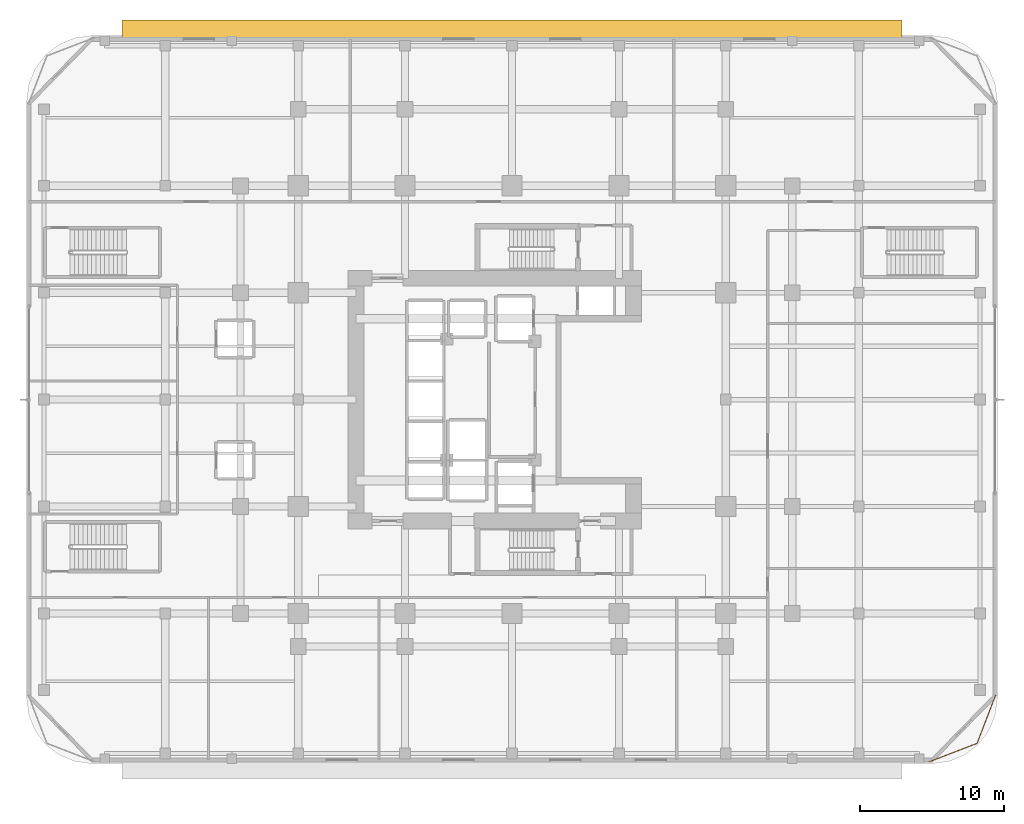
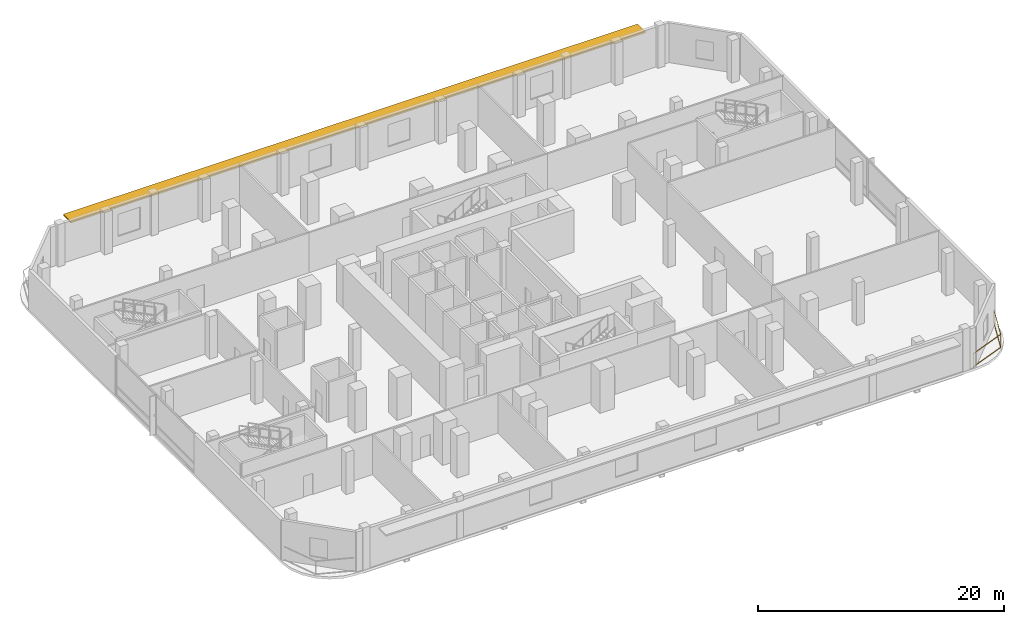
# One storey, part 18 of 19: 1 railing, 1 shading device.
"""IFC4 building model written with IfcOpenShell, lengths in metres."""

from ifc_helpers import new_model, si_unit, direction, frame, origin, origin_2d, place, context, subcontext, project, spatial, polyline, rectangle, outline, extrude, material, layer, layer_set, type_object, element, save


model = new_model("IFC4")

# Units and contexts
model_context = context("Model", 3, precision=1e-05, world=origin(), true_north=direction((0.0, 1.0)))
body_context = subcontext(model_context, "Body", "Model", "MODEL_VIEW")
ifc_project = project(units=[si_unit("LENGTHUNIT", "METRE"), si_unit("AREAUNIT", "SQUARE_METRE"), si_unit("VOLUMEUNIT", "CUBIC_METRE"), si_unit("PLANEANGLEUNIT", "RADIAN"), si_unit("MASSUNIT", "GRAM", prefix="KILO")], contexts=[model_context])

# Site, building, storey
site_placement = place(None, origin())
site = spatial("IfcSite", under=ifc_project, at=site_placement, CompositionType="ELEMENT")
building_placement = place(site_placement, origin())
building = spatial("IfcBuilding", under=site, at=building_placement, Name="Khorvyn Point Tower", CompositionType="ELEMENT")
storey_placement = place(building_placement, frame((0.0, 0.0, 13.199951171875)))
storey = spatial("IfcBuildingStorey", under=building, at=storey_placement, Name="L04", CompositionType="ELEMENT", Elevation=13.199951171875)

# Shading device
ifc_material_1 = material(Name="Bronze anodised aluminium 6063-T6", Category="aluminium")
ifc_layer = layer(ifc_material_1, 0.139892578125)
ifc_layer_set = layer_set([ifc_layer], Name="Anodised Aluminium Horizontal Monsoon Sunshade Canopy")
shading_device_type = type_object("IfcShadingDeviceType", Name="Anodised Aluminium Horizontal Monsoon Sunshade Canopy", PredefinedType="AWNING", material=ifc_layer_set)
shading_device_placement = place(storey_placement, frame((0.0, 0.0, 3.5400390625)))
element("IfcShadingDevice", 1, at=shading_device_placement, inside=storey, type_object=shading_device_type, Name="L04 North Classroom Monsoon Sunshade", PredefinedType="AWNING", context=body_context, shape_type="SweptSolid", body=[
    extrude(outline(polyline([(-27.0, 25.030029296875), (27.0, 25.030029296875), (27.0, 26.280029296875), (-27.0, 26.280029296875), (-27.0, 25.030029296875)])), origin(), (0.0, 0.0, 1.0), 0.139892578125),
])

# Railing
ifc_material_2 = material(Name="Anodised aluminium 6063-T6 and laminated safety glass", Category="aluminium")
railing_type = type_object("IfcRailingType", Name="Laminated Glass and Aluminium Balcony Guardrail 1400", PredefinedType="BALUSTRADE", material=ifc_material_2)
railing_placement = place(storey_placement, frame((28.870849609375, -25.073974609375, 0.0)))
element("IfcRailing", 2, at=railing_placement, inside=storey, type_object=railing_type, Name="L04 Rounded Corner Edge Guardrail SE", PredefinedType="BALUSTRADE", context=body_context, shape_type="SweptSolid", body=[
    extrude(rectangle(XDim=0.048095703125, YDim=0.048095703125, at=origin_2d()), frame((0.0, 0.0, 1.3759765625), z_axis=(0.933575007025, 0.358382067435, 0.0), x_axis=(-0.358382067435, 0.933575007025, 0.0)), (0.0, 0.0, 1.0), 3.562744140625),
    extrude(rectangle(XDim=0.048095703125, YDim=0.048095703125, at=origin_2d()), frame((0.0, 0.0, 0.080078125), z_axis=(0.933575007025, 0.358382067435, 0.0), x_axis=(-0.358382067435, 0.933575007025, 0.0)), (0.0, 0.0, 1.0), 3.562744140625),
    extrude(rectangle(XDim=0.048095703125, YDim=0.048095703125, at=origin_2d()), frame((3.326171875, 1.27685546875, 1.3759765625), z_axis=(0.35841886047, 0.933560882031, 0.0), x_axis=(-0.933560882031, 0.35841886047, 0.0)), (0.0, 0.0, 1.0), 3.563232421875),
    extrude(rectangle(XDim=0.048095703125, YDim=0.048095703125, at=origin_2d()), frame((3.326171875, 1.27685546875, 0.080078125), z_axis=(0.35841886047, 0.933560882031, 0.0), x_axis=(-0.933560882031, 0.35841886047, 0.0)), (0.0, 0.0, 1.0), 3.563232421875),
    extrude(rectangle(XDim=0.0419921875, YDim=0.0419921875, at=origin_2d()), origin(), (0.0, 0.0, 1.0), 1.351806640625),
    extrude(rectangle(XDim=0.0419921875, YDim=0.0419921875, at=origin_2d()), frame((3.326171875, 1.27685546875, 0.0)), (0.0, 0.0, 1.0), 1.351806640625),
    extrude(rectangle(XDim=0.0419921875, YDim=0.0419921875, at=origin_2d()), frame((4.603271484375, 4.603271484375, 0.0)), (0.0, 0.0, 1.0), 1.351806640625),
])

save(model, "model.ifc")
